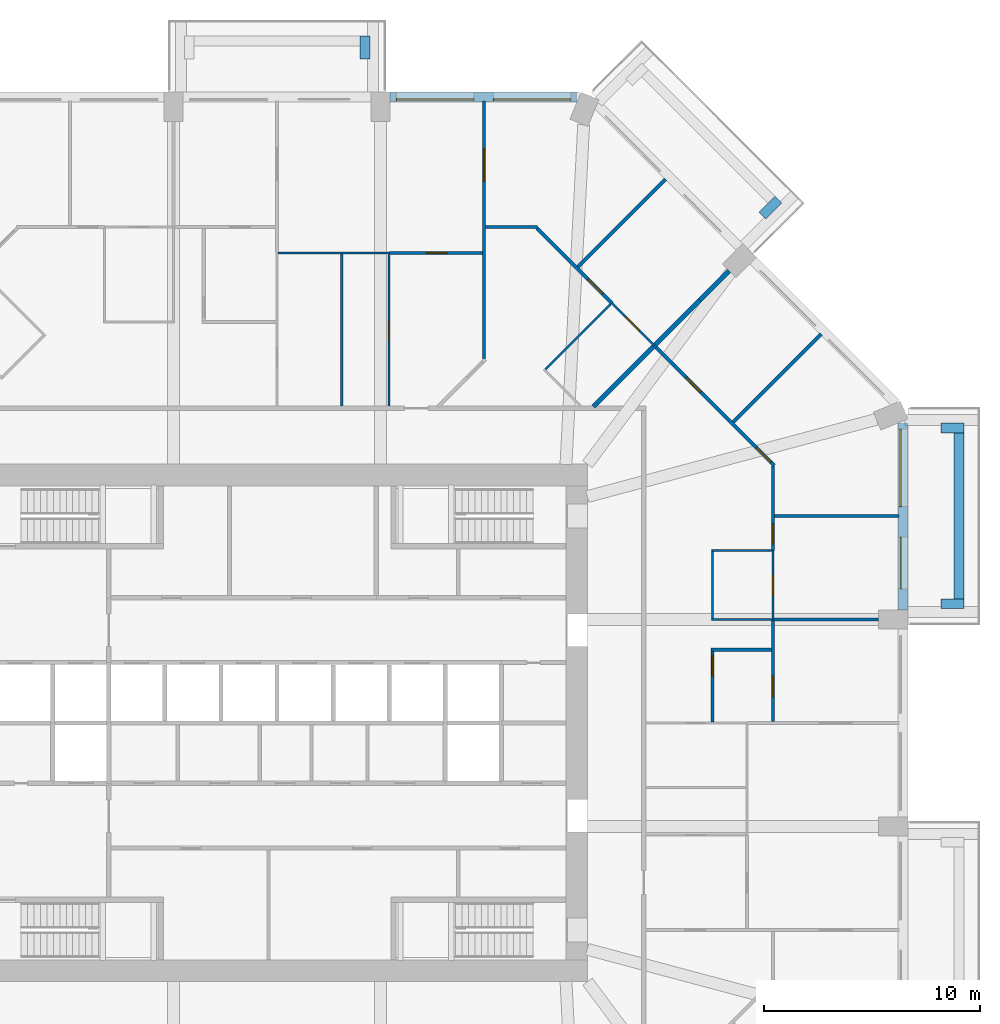
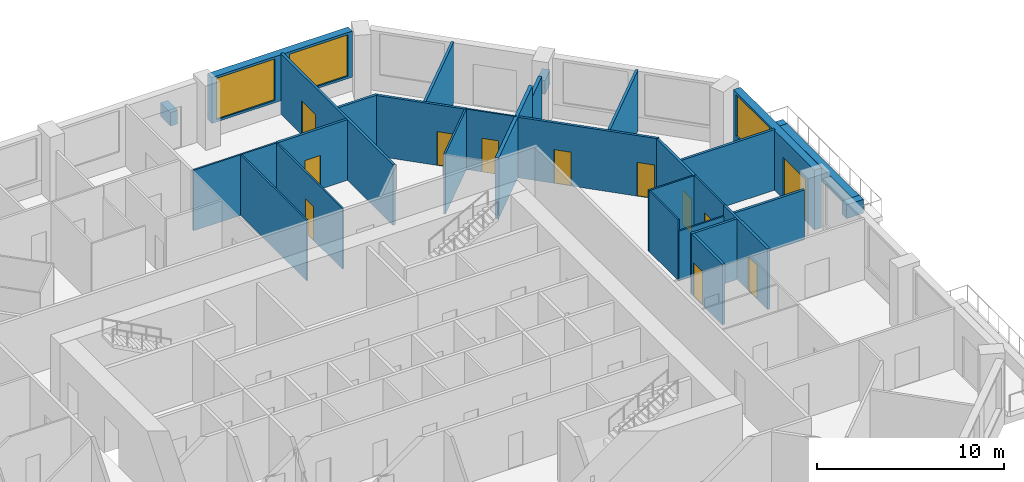
# One storey, part 10 of 13: 31 walls, 12 doors, 3 windows, 15 openings.
"""IFC4 building model written with IfcOpenShell, lengths in metres."""

from ifc_helpers import new_model, si_unit, direction, frame, frame_2d, origin, place, context, subcontext, project, spatial, rectangle, extrude, material, layer, layer_set, type_object, element, fill, save


model = new_model("IFC4")

# Units and contexts
model_context = context("Model", 3, precision=1e-05, world=origin(), true_north=direction((0.0, 1.0)))
body_context = subcontext(model_context, "Body", "Model", "MODEL_VIEW")
ifc_project = project(units=[si_unit("LENGTHUNIT", "METRE"), si_unit("AREAUNIT", "SQUARE_METRE"), si_unit("VOLUMEUNIT", "CUBIC_METRE"), si_unit("PLANEANGLEUNIT", "RADIAN"), si_unit("MASSUNIT", "GRAM", prefix="KILO")], contexts=[model_context])

# Site, building, storey
site_placement = place(None, origin())
site = spatial("IfcSite", under=ifc_project, at=site_placement, CompositionType="ELEMENT")
building_placement = place(site_placement, origin())
building = spatial("IfcBuilding", under=site, at=building_placement, Name="Msitu Wima Residences", CompositionType="ELEMENT")
storey_placement = place(building_placement, frame((0.0, 0.0, 29.699951171875)))
storey = spatial("IfcBuildingStorey", under=building, at=storey_placement, Name="L06", CompositionType="ELEMENT", Elevation=29.699951171875)

# Walls
ifc_material_1 = material(Name="Facing brick")
ifc_layer_1 = layer(ifc_material_1, 0.06494140625, Name="Facing brick")
ifc_material_2 = material(Name="Concrete C40/50", Category="concrete")
ifc_layer_2 = layer(ifc_material_2, 0.156005859375, Name="Concrete C40/50")
ifc_material_3 = material(Name="Waterproofing membrane")
ifc_layer_3 = layer(ifc_material_3, 0.00390625, Name="Waterproofing membrane")
ifc_material_4 = material(Name="Planting soil and planting")
ifc_layer_4 = layer(ifc_material_4, 0.22509765625, Name="Planting soil and planting")
ifc_layer_set_1 = layer_set([ifc_layer_1, ifc_layer_2, ifc_layer_3, ifc_layer_4], Name="Concrete C40/50")
wall_type_1 = type_object("IfcWallType", Name="Balcony planter PLANTER PL450", PredefinedType="USERDEFINED", material=ifc_layer_set_1)
wall_1_placement = place(storey_placement, frame((31.625, 5.75, 0.0), z_axis=(0.0, 0.0, 1.0), x_axis=(0.0, 1.0, 0.0)))
element("IfcWall", 1, at=wall_1_placement, inside=storey, type_object=wall_type_1, Name="Balcony planter E2 L06", ObjectType="PLANTER", PredefinedType="USERDEFINED", context=body_context, shape_type="SweptSolid", body=[
    extrude(rectangle(XDim=7.699951171875, YDim=0.449951171875, at=frame_2d((3.85009765625, 0.0))), origin(), (0.0, 0.0, 1.0), 0.900146484375),
])
for number, where, z_axis, x_axis, name in (
    (2, (30.800048828125, 5.52490234375, 0.0), (0.0, 0.0, 1.0), (1.0, 0.0, 0.0), "Balcony planter E2 L06"),
    (3, (30.800048828125, 13.675048828125, 0.0), (0.0, 0.0, 1.0), (1.0, 0.0, 0.0), "Balcony planter E2 L06"),
    (4, (22.50146484375, 23.52685546875, 0.0), (0.0, 0.0, 1.0), (0.707223014731, 0.706990528533, 0.0), "Balcony planter NE1 L06"),
    (5, (4.074951171875, 30.800048828125, 0.0), (0.0, 0.0, 1.0), (0.0, 1.0, 0.0), "Balcony planter N1 L06"),
):
    element("IfcWall", number, at=place(storey_placement, frame(where, z_axis=z_axis, x_axis=x_axis)), inside=storey, type_object=wall_type_1, Name=name, ObjectType="PLANTER", PredefinedType="USERDEFINED", context=body_context, shape_type="SweptSolid", body=[
        extrude(rectangle(XDim=1.050048828125, YDim=0.449951171875, at=frame_2d((0.52490234375, 0.0))), origin(), (0.0, 0.0, 1.0), 0.900146484375),
    ])

# Wall, openings, door, window
ifc_material_5 = material(Name="Brick (red buff mix)", Category="masonry")
ifc_layer_5 = layer(ifc_material_5, 0.449951171875)
ifc_layer_set_2 = layer_set([ifc_layer_5], Name="Brick (red buff mix)")
wall_type_2 = type_object("IfcWallType", Name="Brick infill wall BW450", PredefinedType="SOLIDWALL", material=ifc_layer_set_2)
wall_2_placement = place(storey_placement, frame((29.02490234375, 5.25, 0.0), z_axis=(0.0, 0.0, 1.0), x_axis=(0.0, 1.0, 0.0)))
wall_2 = element("IfcWall", 6, at=wall_2_placement, inside=storey, type_object=wall_type_2, Name="Brick infill wall L06 E2", PredefinedType="SOLIDWALL", context=body_context, shape_type="SweptSolid", body=[
    extrude(rectangle(XDim=8.662841796875, YDim=0.449951171875, at=frame_2d((4.33154296875, 0.0))), origin(), (0.0, 0.0, 1.0), 3.900146484375),
])
opening_1_placement = place(wall_2_placement, frame((0.9658203125, 0.0, 0.0)))
opening_1 = element("IfcOpeningElement", 7, at=opening_1_placement, cuts=wall_2, Name="Opening D05-07.002", PredefinedType="OPENING", context=body_context, shape_type="SweptSolid", body=[
    extrude(rectangle(XDim=2.39990234375, YDim=2.699951171875, at=frame_2d((1.199951171875, 1.35009765625))), frame((0.0, 0.23486328125, 0.0), z_axis=(0.0, -1.0, 0.0), x_axis=(1.0, 0.0, 0.0)), (0.0, 0.0, 1.0), 0.469970703125),
])
opening_2_placement = place(wall_2_placement, frame((4.781494140625, 0.0, 1.050048828125)))
opening_2 = element("IfcOpeningElement", 8, at=opening_2_placement, cuts=wall_2, Name="Opening W05-07.004", PredefinedType="OPENING", context=body_context, shape_type="SweptSolid", body=[
    extrude(rectangle(XDim=3.60009765625, YDim=2.699951171875, at=frame_2d((1.800048828125, 1.35009765625))), frame((0.0, 0.23486328125, 0.0), z_axis=(0.0, -1.0, 0.0), x_axis=(1.0, 0.0, 0.0)), (0.0, 0.0, 1.0), 0.469970703125),
])
ifc_material_6 = material(Name="Anodised aluminium, bronze finish, clear low-emissivity double glazing", Category="aluminium")
door_type_1 = type_object("IfcDoorType", Name="Balcony door D2400x2700", OperationType="SLIDING_TO_LEFT", PredefinedType="DOOR", material=ifc_material_6)
door_1_placement = place(opening_1_placement, origin())
door_1 = element("IfcDoor", 9, at=door_1_placement, inside=storey, type_object=door_type_1, Name="Balcony door L06 E2", OperationType="SINGLE_SWING_LEFT", OverallHeight=2.699951171875, OverallWidth=2.39990234375, PredefinedType="DOOR", context=body_context, shape_type="SweptSolid", body=[
    extrude(rectangle(XDim=2.39990234375, YDim=2.699951171875, at=frame_2d((1.199951171875, 1.35009765625))), frame((0.0, 0.1298828125, 0.0), z_axis=(0.0, -1.0, 0.0), x_axis=(1.0, 0.0, 0.0)), (0.0, 0.0, 1.0), 0.050048828125),
])
fill(opening_1, door_1)
window_type = type_object("IfcWindowType", Name="Window W3600x2700", PartitioningType="DOUBLE_PANEL_VERTICAL", PredefinedType="WINDOW", material=ifc_material_6)
window_1_placement = place(opening_2_placement, origin())
window_1 = element("IfcWindow", 10, at=window_1_placement, inside=storey, type_object=window_type, Name="Window L06 E2.2", OverallHeight=2.699951171875, OverallWidth=3.60009765625, PartitioningType="SINGLE_PANEL", PredefinedType="WINDOW", context=body_context, shape_type="SweptSolid", body=[
    extrude(rectangle(XDim=3.60009765625, YDim=2.699951171875, at=frame_2d((1.800048828125, 1.35009765625))), frame((0.0, 0.135009765625, 0.0), z_axis=(0.0, -1.0, 0.0), x_axis=(1.0, 0.0, 0.0)), (0.0, 0.0, 1.0), 0.06005859375),
])
fill(opening_2, window_1)

# Wall, openings, windows
wall_3_placement = place(storey_placement, frame((13.912841796875, 29.02490234375, 0.900146484375), z_axis=(0.0, 0.0, 1.0), x_axis=(-1.0, 0.0, 0.0)))
wall_3 = element("IfcWall", 11, at=wall_3_placement, inside=storey, type_object=wall_type_2, Name="Brick infill wall L06 N0", PredefinedType="SOLIDWALL", context=body_context, shape_type="SweptSolid", body=[
    extrude(rectangle(XDim=8.662841796875, YDim=0.449951171875, at=frame_2d((4.33154296875, 0.0))), origin(), (0.0, 0.0, 1.0), 3.0),
])
opening_3_placement = place(wall_3_placement, frame((0.281494140625, 0.0, 0.14990234375)))
opening_3 = element("IfcOpeningElement", 12, at=opening_3_placement, cuts=wall_3, Name="Opening W05-07.005", PredefinedType="OPENING", context=body_context, shape_type="SweptSolid", body=[
    extrude(rectangle(XDim=3.60009765625, YDim=2.699951171875, at=frame_2d((1.800048828125, 1.35009765625))), frame((0.0, 0.23486328125, 0.0), z_axis=(0.0, -1.0, 0.0), x_axis=(1.0, 0.0, 0.0)), (0.0, 0.0, 1.0), 0.469970703125),
])
opening_4_placement = place(wall_3_placement, frame((4.781494140625, 0.0, 0.14990234375)))
opening_4 = element("IfcOpeningElement", 13, at=opening_4_placement, cuts=wall_3, Name="Opening W05-07.006", PredefinedType="OPENING", context=body_context, shape_type="SweptSolid", body=[
    extrude(rectangle(XDim=3.60009765625, YDim=2.699951171875, at=frame_2d((1.800048828125, 1.35009765625))), frame((0.0, 0.23486328125, 0.0), z_axis=(0.0, -1.0, 0.0), x_axis=(1.0, 0.0, 0.0)), (0.0, 0.0, 1.0), 0.469970703125),
])
window_2_placement = place(opening_3_placement, origin())
window_2 = element("IfcWindow", 14, at=window_2_placement, inside=storey, type_object=window_type, Name="Window L06 N0.1", OverallHeight=2.699951171875, OverallWidth=3.60009765625, PartitioningType="SINGLE_PANEL", PredefinedType="WINDOW", context=body_context, shape_type="SweptSolid", body=[
    extrude(rectangle(XDim=3.60009765625, YDim=2.699951171875, at=frame_2d((1.800048828125, 1.35009765625))), frame((0.0, 0.135009765625, 0.0), z_axis=(0.0, -1.0, 0.0), x_axis=(1.0, 0.0, 0.0)), (0.0, 0.0, 1.0), 0.06005859375),
])
fill(opening_3, window_2)
window_3_placement = place(opening_4_placement, origin())
window_3 = element("IfcWindow", 15, at=window_3_placement, inside=storey, type_object=window_type, Name="Window L06 N0.2", OverallHeight=2.699951171875, OverallWidth=3.60009765625, PartitioningType="SINGLE_PANEL", PredefinedType="WINDOW", context=body_context, shape_type="SweptSolid", body=[
    extrude(rectangle(XDim=3.60009765625, YDim=2.699951171875, at=frame_2d((1.800048828125, 1.35009765625))), frame((0.0, 0.135009765625, 0.0), z_axis=(0.0, -1.0, 0.0), x_axis=(1.0, 0.0, 0.0)), (0.0, 0.0, 1.0), 0.06005859375),
])
fill(opening_4, window_3)

# Wall, opening, door
ifc_material_7 = material(Name="Plaster")
ifc_layer_6 = layer(ifc_material_7, 0.011962890625, Name="Plaster")
ifc_material_8 = material(Name="Concrete blockwork", Category="masonry")
ifc_layer_7 = layer(ifc_material_8, 0.1259765625, Name="Concrete blockwork")
ifc_layer_8 = layer(ifc_material_7, 0.011962890625, Name="Plaster")
ifc_layer_set_3 = layer_set([ifc_layer_6, ifc_layer_7, ifc_layer_8], Name="Concrete blockwork")
wall_type_3 = type_object("IfcWallType", Name="Partition PW150", PredefinedType="PARTITIONING", material=ifc_layer_set_3)
wall_4_placement = place(storey_placement, frame((5.219970703125, 21.800048828125, 0.0), z_axis=(0.0, 0.0, 1.0), x_axis=(1.0, 0.0, 0.0)))
wall_4 = element("IfcWall", 16, at=wall_4_placement, inside=storey, type_object=wall_type_3, Name="Partition", PredefinedType="PARTITIONING", context=body_context, shape_type="SweptSolid", body=[
    extrude(rectangle(XDim=4.304931640625, YDim=0.14990234375, at=frame_2d((2.15234375, 0.0))), origin(), (0.0, 0.0, 1.0), 3.949951171875),
])
opening_5_placement = place(wall_4_placement, frame((1.699951171875, 0.0, 0.0)))
opening_5 = element("IfcOpeningElement", 17, at=opening_5_placement, cuts=wall_4, Name="Opening D05-07.048", PredefinedType="OPENING", context=body_context, shape_type="SweptSolid", body=[
    extrude(rectangle(XDim=0.949951171875, YDim=2.199951171875, at=frame_2d((0.47509765625, 1.10009765625))), frame((0.0, 0.0849609375, 0.0), z_axis=(0.0, -1.0, 0.0), x_axis=(1.0, 0.0, 0.0)), (0.0, 0.0, 1.0), 0.169921875),
])
ifc_material_9 = material(Name="Timber flush door", Category="wood")
door_type_2 = type_object("IfcDoorType", Name="Room door D12 950x2200", OperationType="SINGLE_SWING_LEFT", PredefinedType="DOOR", material=ifc_material_9)
door_2_placement = place(opening_5_placement, origin())
door_2 = element("IfcDoor", 18, at=door_2_placement, inside=storey, type_object=door_type_2, Name="Room door", OperationType="SINGLE_SWING_RIGHT", OverallHeight=2.199951171875, OverallWidth=0.949951171875, PredefinedType="DOOR", context=body_context, shape_type="SweptSolid", body=[
    extrude(rectangle(XDim=0.949951171875, YDim=2.199951171875, at=frame_2d((0.47509765625, 1.10009765625))), frame((0.0, 0.02490234375, 0.0), z_axis=(0.0, -1.0, 0.0), x_axis=(1.0, 0.0, 0.0)), (0.0, 0.0, 1.0), 0.050048828125),
])
fill(opening_5, door_2)

wall_5_placement = place(storey_placement, frame((9.60009765625, 16.875, 0.0), z_axis=(0.0, 0.0, 1.0), x_axis=(0.0, 1.0, 0.0)))
wall_5 = element("IfcWall", 19, at=wall_5_placement, inside=storey, type_object=wall_type_3, Name="Partition", PredefinedType="PARTITIONING", context=body_context, shape_type="SweptSolid", body=[
    extrude(rectangle(XDim=11.97998046875, YDim=0.14990234375, at=frame_2d((5.989990234375, 0.0))), origin(), (0.0, 0.0, 1.0), 3.949951171875),
])
opening_6_placement = place(wall_5_placement, frame((8.25, 0.0, 0.0)))
opening_6 = element("IfcOpeningElement", 20, at=opening_6_placement, cuts=wall_5, Name="Opening D05-07.055", PredefinedType="OPENING", context=body_context, shape_type="SweptSolid", body=[
    extrude(rectangle(XDim=1.5, YDim=2.199951171875, at=frame_2d((0.75, 1.10009765625))), frame((0.0, 0.0849609375, 0.0), z_axis=(0.0, -1.0, 0.0), x_axis=(1.0, 0.0, 0.0)), (0.0, 0.0, 1.0), 0.169921875),
])
ifc_material_10 = material(Name="Timber double door", Category="wood")
door_type_3 = type_object("IfcDoorType", Name="Double door D04 1500x2200", OperationType="DOUBLE_DOOR_SINGLE_SWING", PredefinedType="DOOR", material=ifc_material_10)
door_3_placement = place(opening_6_placement, origin())
door_3 = element("IfcDoor", 21, at=door_3_placement, inside=storey, type_object=door_type_3, Name="Double door", OperationType="DOUBLE_DOOR_SINGLE_SWING", OverallHeight=2.199951171875, OverallWidth=1.5, PredefinedType="DOOR", context=body_context, shape_type="SweptSolid", body=[
    extrude(rectangle(XDim=1.5, YDim=2.199951171875, at=frame_2d((0.75, 1.10009765625))), frame((0.0, 0.02490234375, 0.0), z_axis=(0.0, -1.0, 0.0), x_axis=(1.0, 0.0, 0.0)), (0.0, 0.0, 1.0), 0.050048828125),
])
fill(opening_6, door_3)

# Wall
wall_6_placement = place(storey_placement, frame((9.675048828125, 23.0, 0.0), z_axis=(0.0, 0.0, 1.0), x_axis=(1.0, 0.0, 0.0)))
element("IfcWall", 22, at=wall_6_placement, inside=storey, type_object=wall_type_3, Name="Partition", PredefinedType="PARTITIONING", context=body_context, shape_type="SweptSolid", body=[
    extrude(rectangle(XDim=2.3974609375, YDim=0.14990234375, at=frame_2d((1.19873046875, 0.0))), origin(), (0.0, 0.0, 1.0), 3.949951171875),
])

# Wall, opening, door
wall_7_placement = place(storey_placement, frame((12.050537109375, 22.947021484375, 0.0), z_axis=(0.0, 0.0, 1.0), x_axis=(0.707106781187, -0.707106781187, 0.0)))
wall_7 = element("IfcWall", 23, at=wall_7_placement, inside=storey, type_object=wall_type_3, Name="Partition", PredefinedType="PARTITIONING", context=body_context, shape_type="SweptSolid", body=[
    extrude(rectangle(XDim=4.9248046875, YDim=0.14990234375, at=frame_2d((2.46240234375, 0.0))), origin(), (0.0, 0.0, 1.0), 3.949951171875),
])
opening_7_placement = place(wall_7_placement, frame((3.35009765625, 0.0, 0.0)))
opening_7 = element("IfcOpeningElement", 24, at=opening_7_placement, cuts=wall_7, Name="Opening D05-07.051", PredefinedType="OPENING", context=body_context, shape_type="SweptSolid", body=[
    extrude(rectangle(XDim=0.949951171875, YDim=2.199951171875, at=frame_2d((0.47509765625, 1.10009765625))), frame((0.0, 0.0849609375, 0.0), z_axis=(0.0, -1.0, 0.0), x_axis=(1.0, 0.0, 0.0)), (0.0, 0.0, 1.0), 0.169921875),
])
door_4_placement = place(opening_7_placement, origin())
door_4 = element("IfcDoor", 25, at=door_4_placement, inside=storey, type_object=door_type_2, Name="Room door", OperationType="SINGLE_SWING_LEFT", OverallHeight=2.199951171875, OverallWidth=0.949951171875, PredefinedType="DOOR", context=body_context, shape_type="SweptSolid", body=[
    extrude(rectangle(XDim=0.949951171875, YDim=2.199951171875, at=frame_2d((0.47509765625, 1.10009765625))), frame((0.0, 0.02490234375, 0.0), z_axis=(0.0, -1.0, 0.0), x_axis=(1.0, 0.0, 0.0)), (0.0, 0.0, 1.0), 0.050048828125),
])
fill(opening_7, door_4)

# Wall
wall_8_placement = place(storey_placement, frame((13.951904296875, 21.15185546875, 0.0), z_axis=(0.0, 0.0, 1.0), x_axis=(0.707085550893, 0.707128010843, 0.0)))
element("IfcWall", 26, at=wall_8_placement, inside=storey, type_object=wall_type_3, Name="Partition", PredefinedType="PARTITIONING", context=body_context, shape_type="SweptSolid", body=[
    extrude(rectangle(XDim=5.75, YDim=0.14990234375, at=frame_2d((2.875, 0.0))), origin(), (0.0, 0.0, 1.0), 3.949951171875),
])

# Wall, openings, doors
wall_9_placement = place(storey_placement, frame((17.498779296875, 17.498779296875, 0.0), z_axis=(0.0, 0.0, 1.0), x_axis=(0.707106781187, -0.707106781187, 0.0)))
wall_9 = element("IfcWall", 27, at=wall_9_placement, inside=storey, type_object=wall_type_3, Name="Partition", PredefinedType="PARTITIONING", context=body_context, shape_type="SweptSolid", body=[
    extrude(rectangle(XDim=7.854736328125, YDim=0.14990234375, at=frame_2d((3.92724609375, 0.0))), origin(), (0.0, 0.0, 1.0), 3.949951171875),
])
opening_8_placement = place(wall_9_placement, frame((2.10009765625, 0.0, 0.0)))
opening_8 = element("IfcOpeningElement", 28, at=opening_8_placement, cuts=wall_9, Name="Opening D05-07.097", PredefinedType="OPENING", context=body_context, shape_type="SweptSolid", body=[
    extrude(rectangle(XDim=0.949951171875, YDim=2.199951171875, at=frame_2d((0.47509765625, 1.10009765625))), frame((0.0, 0.0849609375, 0.0), z_axis=(0.0, -1.0, 0.0), x_axis=(1.0, 0.0, 0.0)), (0.0, 0.0, 1.0), 0.169921875),
])
opening_9_placement = place(wall_9_placement, frame((6.699951171875, 0.0, 0.0)))
opening_9 = element("IfcOpeningElement", 29, at=opening_9_placement, cuts=wall_9, Name="Opening D05-07.046", PredefinedType="OPENING", context=body_context, shape_type="SweptSolid", body=[
    extrude(rectangle(XDim=0.949951171875, YDim=2.199951171875, at=frame_2d((0.47509765625, 1.10009765625))), frame((0.0, 0.0849609375, 0.0), z_axis=(0.0, -1.0, 0.0), x_axis=(1.0, 0.0, 0.0)), (0.0, 0.0, 1.0), 0.169921875),
])
door_5_placement = place(opening_8_placement, origin())
door_5 = element("IfcDoor", 30, at=door_5_placement, inside=storey, type_object=door_type_2, Name="Room door", OperationType="SINGLE_SWING_RIGHT", OverallHeight=2.199951171875, OverallWidth=0.949951171875, PredefinedType="DOOR", context=body_context, shape_type="SweptSolid", body=[
    extrude(rectangle(XDim=0.949951171875, YDim=2.199951171875, at=frame_2d((0.47509765625, 1.10009765625))), frame((0.0, 0.02490234375, 0.0), z_axis=(0.0, -1.0, 0.0), x_axis=(1.0, 0.0, 0.0)), (0.0, 0.0, 1.0), 0.050048828125),
])
fill(opening_8, door_5)
door_6_placement = place(opening_9_placement, origin())
door_6 = element("IfcDoor", 31, at=door_6_placement, inside=storey, type_object=door_type_2, Name="Room door", OperationType="SINGLE_SWING_LEFT", OverallHeight=2.199951171875, OverallWidth=0.949951171875, PredefinedType="DOOR", context=body_context, shape_type="SweptSolid", body=[
    extrude(rectangle(XDim=0.949951171875, YDim=2.199951171875, at=frame_2d((0.47509765625, 1.10009765625))), frame((0.0, 0.02490234375, 0.0), z_axis=(0.0, -1.0, 0.0), x_axis=(1.0, 0.0, 0.0)), (0.0, 0.0, 1.0), 0.050048828125),
])
fill(opening_9, door_6)

# Wall, opening, door
wall_10_placement = place(storey_placement, frame((20.199951171875, 0.050048828125, 0.0), z_axis=(0.0, 0.0, 1.0), x_axis=(0.0, 1.0, 0.0)))
wall_10 = element("IfcWall", 32, at=wall_10_placement, inside=storey, type_object=wall_type_3, Name="Partition", PredefinedType="PARTITIONING", context=body_context, shape_type="SweptSolid", body=[
    extrude(rectangle(XDim=3.27490234375, YDim=0.14990234375, at=frame_2d((1.637451171875, 0.0))), origin(), (0.0, 0.0, 1.0), 3.949951171875),
])
opening_10_placement = place(wall_10_placement, frame((2.14990234375, 0.0, 0.0)))
opening_10 = element("IfcOpeningElement", 33, at=opening_10_placement, cuts=wall_10, Name="Opening D05-07.096", PredefinedType="OPENING", context=body_context, shape_type="SweptSolid", body=[
    extrude(rectangle(XDim=0.949951171875, YDim=2.199951171875, at=frame_2d((0.47509765625, 1.10009765625))), frame((0.0, 0.0849609375, 0.0), z_axis=(0.0, -1.0, 0.0), x_axis=(1.0, 0.0, 0.0)), (0.0, 0.0, 1.0), 0.169921875),
])
door_7_placement = place(opening_10_placement, origin())
door_7 = element("IfcDoor", 34, at=door_7_placement, inside=storey, type_object=door_type_2, Name="Room door", OperationType="SINGLE_SWING_LEFT", OverallHeight=2.199951171875, OverallWidth=0.949951171875, PredefinedType="DOOR", context=body_context, shape_type="SweptSolid", body=[
    extrude(rectangle(XDim=0.949951171875, YDim=2.199951171875, at=frame_2d((0.47509765625, 1.10009765625))), frame((0.0, 0.02490234375, 0.0), z_axis=(0.0, -1.0, 0.0), x_axis=(1.0, 0.0, 0.0)), (0.0, 0.0, 1.0), 0.050048828125),
])
fill(opening_10, door_7)

# Walls
wall_11_placement = place(storey_placement, frame((20.125, 3.39990234375, 0.0), z_axis=(0.0, 0.0, 1.0), x_axis=(1.0, 0.0, 0.0)))
element("IfcWall", 35, at=wall_11_placement, inside=storey, type_object=wall_type_3, Name="Partition", PredefinedType="PARTITIONING", context=body_context, shape_type="SweptSolid", body=[
    extrude(rectangle(XDim=2.800048828125, YDim=0.14990234375, at=frame_2d((1.39990234375, 0.0))), origin(), (0.0, 0.0, 1.0), 3.949951171875),
])
wall_12_placement = place(storey_placement, frame((21.15185546875, 13.951904296875, 0.0), z_axis=(0.0, 0.0, 1.0), x_axis=(0.707106781187, 0.707106781187, 0.0)))
element("IfcWall", 36, at=wall_12_placement, inside=storey, type_object=wall_type_3, Name="Partition", PredefinedType="PARTITIONING", context=body_context, shape_type="SweptSolid", body=[
    extrude(rectangle(XDim=5.77978515625, YDim=0.14990234375, at=frame_2d((2.889892578125, 0.0))), origin(), (0.0, 0.0, 1.0), 3.949951171875),
])
wall_13_placement = place(storey_placement, frame((22.97998046875, 4.800048828125, 0.0), z_axis=(0.0, 0.0, 1.0), x_axis=(1.0, 0.0, 0.0)))
element("IfcWall", 37, at=wall_13_placement, inside=storey, type_object=wall_type_3, Name="Partition", PredefinedType="PARTITIONING", context=body_context, shape_type="SweptSolid", body=[
    extrude(rectangle(XDim=4.919921875, YDim=0.14990234375, at=frame_2d((2.4599609375, 0.0))), origin(), (0.0, 0.0, 1.0), 3.25),
])

# Wall, opening, door
wall_14_placement = place(storey_placement, frame((23.0, 0.074951171875, 0.0), z_axis=(0.0, 0.0, 1.0), x_axis=(0.0, 1.0, 0.0)))
wall_14 = element("IfcWall", 38, at=wall_14_placement, inside=storey, type_object=wall_type_3, Name="Partition", PredefinedType="PARTITIONING", context=body_context, shape_type="SweptSolid", body=[
    extrude(rectangle(XDim=4.72509765625, YDim=0.14990234375, at=frame_2d((2.362548828125, 0.0))), origin(), (0.0, 0.0, 1.0), 3.949951171875),
])
opening_11_placement = place(wall_14_placement, frame((1.14990234375, 0.0, 0.0)))
opening_11 = element("IfcOpeningElement", 39, at=opening_11_placement, cuts=wall_14, Name="Opening D05-07.094", PredefinedType="OPENING", context=body_context, shape_type="SweptSolid", body=[
    extrude(rectangle(XDim=0.949951171875, YDim=2.199951171875, at=frame_2d((0.47509765625, 1.10009765625))), frame((0.0, 0.0849609375, 0.0), z_axis=(0.0, -1.0, 0.0), x_axis=(1.0, 0.0, 0.0)), (0.0, 0.0, 1.0), 0.169921875),
])
door_8_placement = place(opening_11_placement, origin())
door_8 = element("IfcDoor", 40, at=door_8_placement, inside=storey, type_object=door_type_2, Name="Room door", OperationType="SINGLE_SWING_RIGHT", OverallHeight=2.199951171875, OverallWidth=0.949951171875, PredefinedType="DOOR", context=body_context, shape_type="SweptSolid", body=[
    extrude(rectangle(XDim=0.949951171875, YDim=2.199951171875, at=frame_2d((0.47509765625, 1.10009765625))), frame((0.0, 0.02490234375, 0.0), z_axis=(0.0, -1.0, 0.0), x_axis=(1.0, 0.0, 0.0)), (0.0, 0.0, 1.0), 0.050048828125),
])
fill(opening_11, door_8)

wall_15_placement = place(storey_placement, frame((23.0, 8.0, 0.0), z_axis=(0.0, 0.0, 1.0), x_axis=(0.0, 1.0, 0.0)))
wall_15 = element("IfcWall", 41, at=wall_15_placement, inside=storey, type_object=wall_type_3, Name="Partition", PredefinedType="PARTITIONING", context=body_context, shape_type="SweptSolid", body=[
    extrude(rectangle(XDim=3.922607421875, YDim=0.14990234375, at=frame_2d((1.96142578125, 0.0))), origin(), (0.0, 0.0, 1.0), 3.949951171875),
])
opening_12_placement = place(wall_15_placement, frame((0.300048828125, 0.0, 0.0)))
opening_12 = element("IfcOpeningElement", 42, at=opening_12_placement, cuts=wall_15, Name="Opening D05-07.043", PredefinedType="OPENING", context=body_context, shape_type="SweptSolid", body=[
    extrude(rectangle(XDim=0.949951171875, YDim=2.199951171875, at=frame_2d((0.47509765625, 1.10009765625))), frame((0.0, 0.0849609375, 0.0), z_axis=(0.0, -1.0, 0.0), x_axis=(1.0, 0.0, 0.0)), (0.0, 0.0, 1.0), 0.169921875),
])
door_9_placement = place(opening_12_placement, origin())
door_9 = element("IfcDoor", 43, at=door_9_placement, inside=storey, type_object=door_type_2, Name="Room door", OperationType="SINGLE_SWING_LEFT", OverallHeight=2.199951171875, OverallWidth=0.949951171875, PredefinedType="DOOR", context=body_context, shape_type="SweptSolid", body=[
    extrude(rectangle(XDim=0.949951171875, YDim=2.199951171875, at=frame_2d((0.47509765625, 1.10009765625))), frame((0.0, 0.02490234375, 0.0), z_axis=(0.0, -1.0, 0.0), x_axis=(1.0, 0.0, 0.0)), (0.0, 0.0, 1.0), 0.050048828125),
])
fill(opening_12, door_9)

# Walls
wall_16_placement = place(storey_placement, frame((23.074951171875, 9.60009765625, 0.0), z_axis=(0.0, 0.0, 1.0), x_axis=(1.0, 0.0, 0.0)))
element("IfcWall", 44, at=wall_16_placement, inside=storey, type_object=wall_type_3, Name="Partition", PredefinedType="PARTITIONING", context=body_context, shape_type="SweptSolid", body=[
    extrude(rectangle(XDim=5.780029296875, YDim=0.14990234375, at=frame_2d((2.89013671875, 0.0))), origin(), (0.0, 0.0, 1.0), 3.949951171875),
])
ifc_layer_9 = layer(ifc_material_7, 0.011962890625, Name="Plaster")
ifc_material_11 = material(Name="Dense concrete blockwork", Category="masonry")
ifc_layer_10 = layer(ifc_material_11, 0.176025390625, Name="Dense concrete blockwork")
ifc_layer_11 = layer(ifc_material_7, 0.011962890625, Name="Plaster")
ifc_layer_set_4 = layer_set([ifc_layer_9, ifc_layer_10, ifc_layer_11], Name="Dense concrete blockwork")
wall_type_4 = type_object("IfcWallType", Name="Party wall PW200", PredefinedType="PARTITIONING", material=ifc_layer_set_4)
wall_17_placement = place(storey_placement, frame((14.670654296875, 14.670654296875, 0.0), z_axis=(0.0, 0.0, 1.0), x_axis=(0.707106781187, 0.707106781187, 0.0)))
element("IfcWall", 45, at=wall_17_placement, inside=storey, type_object=wall_type_4, Name="Party wall", PredefinedType="PARTITIONING", context=body_context, shape_type="SweptSolid", body=[
    extrude(rectangle(XDim=6.979248046875, YDim=0.199951171875, at=frame_2d((3.48974609375, 0.0))), origin(), (0.0, 0.0, 1.0), 3.949951171875),
])
wall_18_placement = place(storey_placement, frame((19.605712890625, 19.605712890625, 0.0), z_axis=(0.0, 0.0, 1.0), x_axis=(0.707106781187, 0.707106781187, 0.0)))
element("IfcWall", 46, at=wall_18_placement, inside=storey, type_object=wall_type_4, Name="Party wall", PredefinedType="PARTITIONING", context=body_context, shape_type="SweptSolid", body=[
    extrude(rectangle(XDim=1.92041015625, YDim=0.199951171875, at=frame_2d((0.960205078125, 0.0))), origin(), (0.0, 0.0, 1.0), 3.25),
])
ifc_material_12 = material(Name="Ceramic tiles")
ifc_layer_12 = layer(ifc_material_12, 0.008056640625, Name="Ceramic tiles")
ifc_material_13 = material(Name="Moisture-resistant board")
ifc_layer_13 = layer(ifc_material_13, 0.012451171875, Name="Moisture-resistant board")
ifc_material_14 = material(Name="Light-gauge stud framing with mineral wool")
ifc_layer_14 = layer(ifc_material_14, 0.06689453125, Name="Light-gauge stud framing with mineral wool")
ifc_layer_15 = layer(ifc_material_13, 0.012451171875, Name="Moisture-resistant board")
ifc_layer_set_5 = layer_set([ifc_layer_12, ifc_layer_13, ifc_layer_14, ifc_layer_15], Name="Light-gauge stud framing with mineral wool")
wall_type_5 = type_object("IfcWallType", Name="Wet wall PW100", PredefinedType="PARTITIONING", material=ifc_layer_set_5)
wall_19_placement = place(storey_placement, frame((0.050048828125, 21.800048828125, 0.0), z_axis=(0.0, 0.0, 1.0), x_axis=(1.0, 0.0, 0.0)))
element("IfcWall", 47, at=wall_19_placement, inside=storey, type_object=wall_type_5, Name="Wet wall", PredefinedType="PARTITIONING", context=body_context, shape_type="SweptSolid", body=[
    extrude(rectangle(XDim=5.169921875, YDim=0.10009765625, at=frame_2d((2.5849609375, 0.0))), origin(), (0.0, 0.0, 1.0), 3.949951171875),
])
wall_20_placement = place(storey_placement, frame((3.0, 14.699951171875, 0.0), z_axis=(0.0, 0.0, 1.0), x_axis=(0.0, 1.0, 0.0)))
element("IfcWall", 48, at=wall_20_placement, inside=storey, type_object=wall_type_5, Name="Wet wall", PredefinedType="PARTITIONING", context=body_context, shape_type="SweptSolid", body=[
    extrude(rectangle(XDim=7.050048828125, YDim=0.10009765625, at=frame_2d((3.52490234375, 0.0))), origin(), (0.0, 0.0, 1.0), 3.949951171875),
])

# Wall, opening, door
wall_21_placement = place(storey_placement, frame((5.199951171875, 14.699951171875, 0.0), z_axis=(0.0, 0.0, 1.0), x_axis=(0.0, 1.0, 0.0)))
wall_21 = element("IfcWall", 49, at=wall_21_placement, inside=storey, type_object=wall_type_5, Name="Wet wall", PredefinedType="PARTITIONING", context=body_context, shape_type="SweptSolid", body=[
    extrude(rectangle(XDim=7.025146484375, YDim=0.10009765625, at=frame_2d((3.5126953125, 0.0))), origin(), (0.0, 0.0, 1.0), 3.949951171875),
])
opening_13_placement = place(wall_21_placement, frame((3.050048828125, 0.0, 0.0)))
opening_13 = element("IfcOpeningElement", 50, at=opening_13_placement, cuts=wall_21, Name="Opening D05-07.049", PredefinedType="OPENING", context=body_context, shape_type="SweptSolid", body=[
    extrude(rectangle(XDim=0.89990234375, YDim=2.199951171875, at=frame_2d((0.449951171875, 1.10009765625))), frame((0.0, 0.06005859375, 0.0), z_axis=(0.0, -1.0, 0.0), x_axis=(1.0, 0.0, 0.0)), (0.0, 0.0, 1.0), 0.1201171875),
])
ifc_material_15 = material(Name="Timber flush door, moisture resistant", Category="wood")
door_type_4 = type_object("IfcDoorType", Name="Bathroom door D03 900x2200", OperationType="SINGLE_SWING_LEFT", PredefinedType="DOOR", material=ifc_material_15)
door_10_placement = place(opening_13_placement, origin())
door_10 = element("IfcDoor", 51, at=door_10_placement, inside=storey, type_object=door_type_4, Name="Bathroom door", OperationType="SINGLE_SWING_LEFT", OverallHeight=2.199951171875, OverallWidth=0.89990234375, PredefinedType="DOOR", context=body_context, shape_type="SweptSolid", body=[
    extrude(rectangle(XDim=0.89990234375, YDim=2.199951171875, at=frame_2d((0.449951171875, 1.10009765625))), frame((0.0, 0.02490234375, 0.0), z_axis=(0.0, -1.0, 0.0), x_axis=(1.0, 0.0, 0.0)), (0.0, 0.0, 1.0), 0.050048828125),
])
fill(opening_13, door_10)

# Wall
wall_22_placement = place(storey_placement, frame((12.44287109375, 16.40283203125, 0.0), z_axis=(0.0, 0.0, 1.0), x_axis=(0.707135335582, 0.707078225638, 0.0)))
element("IfcWall", 52, at=wall_22_placement, inside=storey, type_object=wall_type_5, Name="Wet wall", PredefinedType="PARTITIONING", context=body_context, shape_type="SweptSolid", body=[
    extrude(rectangle(XDim=4.27490234375, YDim=0.10009765625, at=frame_2d((2.137451171875, 0.0))), origin(), (0.0, 0.0, 1.0), 3.949951171875),
])

# Wall, opening, door
wall_23_placement = place(storey_placement, frame((15.532958984375, 19.464599609375, 0.0), z_axis=(0.0, 0.0, 1.0), x_axis=(0.707106781187, -0.707106781187, 0.0)))
wall_23 = element("IfcWall", 53, at=wall_23_placement, inside=storey, type_object=wall_type_5, Name="Wet wall", PredefinedType="PARTITIONING", context=body_context, shape_type="SweptSolid", body=[
    extrude(rectangle(XDim=2.780029296875, YDim=0.10009765625, at=frame_2d((1.39013671875, 0.0))), origin(), (0.0, 0.0, 1.0), 3.949951171875),
])
opening_14_placement = place(wall_23_placement, frame((0.89990234375, 0.0, 0.0)))
opening_14 = element("IfcOpeningElement", 54, at=opening_14_placement, cuts=wall_23, Name="Opening D05-07.052", PredefinedType="OPENING", context=body_context, shape_type="SweptSolid", body=[
    extrude(rectangle(XDim=0.89990234375, YDim=2.199951171875, at=frame_2d((0.449951171875, 1.10009765625))), frame((0.0, 0.06005859375, 0.0), z_axis=(0.0, -1.0, 0.0), x_axis=(1.0, 0.0, 0.0)), (0.0, 0.0, 1.0), 0.1201171875),
])
door_11_placement = place(opening_14_placement, origin())
door_11 = element("IfcDoor", 55, at=door_11_placement, inside=storey, type_object=door_type_4, Name="Bathroom door", OperationType="SINGLE_SWING_RIGHT", OverallHeight=2.199951171875, OverallWidth=0.89990234375, PredefinedType="DOOR", context=body_context, shape_type="SweptSolid", body=[
    extrude(rectangle(XDim=0.89990234375, YDim=2.199951171875, at=frame_2d((0.449951171875, 1.10009765625))), frame((0.0, 0.02490234375, 0.0), z_axis=(0.0, -1.0, 0.0), x_axis=(1.0, 0.0, 0.0)), (0.0, 0.0, 1.0), 0.050048828125),
])
fill(opening_14, door_11)

# Walls
wall_24_placement = place(storey_placement, frame((20.199951171875, 4.85009765625, 0.0), z_axis=(0.0, 0.0, 1.0), x_axis=(0.0, 1.0, 0.0)))
element("IfcWall", 56, at=wall_24_placement, inside=storey, type_object=wall_type_5, Name="Wet wall", PredefinedType="PARTITIONING", context=body_context, shape_type="SweptSolid", body=[
    extrude(rectangle(XDim=3.099853515625, YDim=0.10009765625, at=frame_2d((1.5498046875, 0.0))), origin(), (0.0, 0.0, 1.0), 3.949951171875),
])
wall_25_placement = place(storey_placement, frame((20.14990234375, 4.800048828125, 0.0), z_axis=(0.0, 0.0, 1.0), x_axis=(1.0, 0.0, 0.0)))
element("IfcWall", 57, at=wall_25_placement, inside=storey, type_object=wall_type_5, Name="Wet wall", PredefinedType="PARTITIONING", context=body_context, shape_type="SweptSolid", body=[
    extrude(rectangle(XDim=2.830078125, YDim=0.10009765625, at=frame_2d((1.4150390625, 0.0))), origin(), (0.0, 0.0, 1.0), 3.25),
])
wall_26_placement = place(storey_placement, frame((20.14990234375, 8.0, 0.0), z_axis=(0.0, 0.0, 1.0), x_axis=(1.0, 0.0, 0.0)))
element("IfcWall", 58, at=wall_26_placement, inside=storey, type_object=wall_type_5, Name="Wet wall", PredefinedType="PARTITIONING", context=body_context, shape_type="SweptSolid", body=[
    extrude(rectangle(XDim=2.775146484375, YDim=0.10009765625, at=frame_2d((1.3876953125, 0.0))), origin(), (0.0, 0.0, 1.0), 3.949951171875),
])

# Wall, opening, door
wall_27_placement = place(storey_placement, frame((23.0, 4.800048828125, 0.0), z_axis=(0.0, 0.0, 1.0), x_axis=(0.0, 1.0, 0.0)))
wall_27 = element("IfcWall", 59, at=wall_27_placement, inside=storey, type_object=wall_type_5, Name="Wet wall", PredefinedType="PARTITIONING", context=body_context, shape_type="SweptSolid", body=[
    extrude(rectangle(XDim=3.199951171875, YDim=0.10009765625, at=frame_2d((1.60009765625, 0.0))), origin(), (0.0, 0.0, 1.0), 3.949951171875),
])
opening_15_placement = place(wall_27_placement, frame((1.14990234375, 0.0, 0.0)))
opening_15 = element("IfcOpeningElement", 60, at=opening_15_placement, cuts=wall_27, Name="Opening D05-07.044", PredefinedType="OPENING", context=body_context, shape_type="SweptSolid", body=[
    extrude(rectangle(XDim=0.89990234375, YDim=2.199951171875, at=frame_2d((0.449951171875, 1.10009765625))), frame((0.0, 0.06005859375, 0.0), z_axis=(0.0, -1.0, 0.0), x_axis=(1.0, 0.0, 0.0)), (0.0, 0.0, 1.0), 0.1201171875),
])
door_12_placement = place(opening_15_placement, origin())
door_12 = element("IfcDoor", 61, at=door_12_placement, inside=storey, type_object=door_type_4, Name="Bathroom door", OperationType="SINGLE_SWING_LEFT", OverallHeight=2.199951171875, OverallWidth=0.89990234375, PredefinedType="DOOR", context=body_context, shape_type="SweptSolid", body=[
    extrude(rectangle(XDim=0.89990234375, YDim=2.199951171875, at=frame_2d((0.449951171875, 1.10009765625))), frame((0.0, 0.02490234375, 0.0), z_axis=(0.0, -1.0, 0.0), x_axis=(1.0, 0.0, 0.0)), (0.0, 0.0, 1.0), 0.050048828125),
])
fill(opening_15, door_12)

save(model, "model.ifc")
